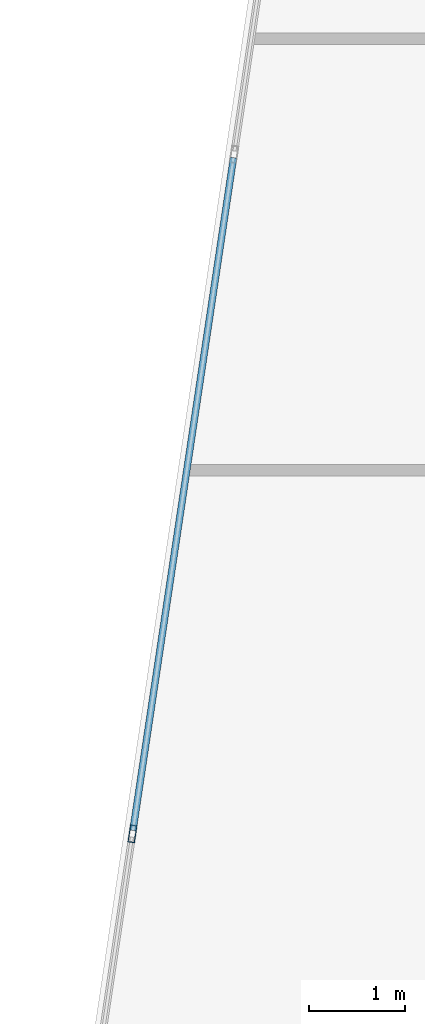
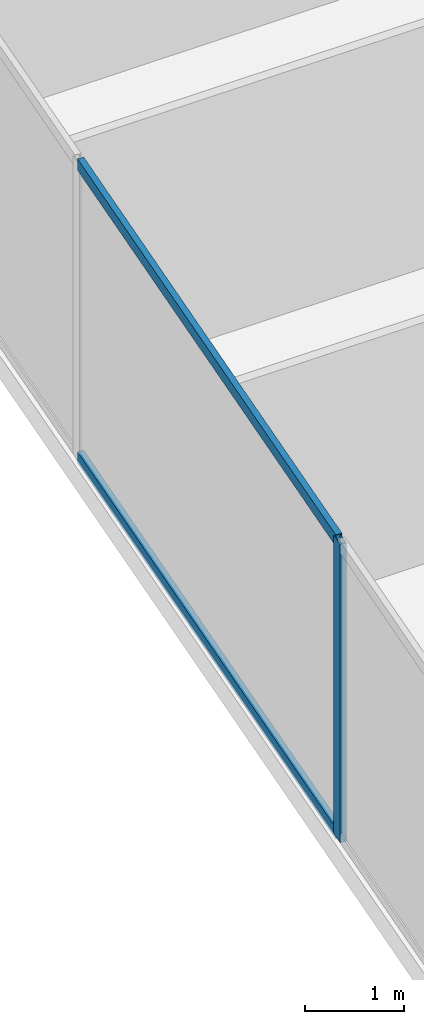
# One storey, part 6 of 29: 3 members, 1 element without a shape of its own.
"""IFC4 building model written with IfcOpenShell, lengths in metres."""

from ifc_helpers import new_model, si_unit, direction, frame, origin, origin_2d, place, context, subcontext, project, spatial, hollow_rectangle, extrude, source, transform, mapped, material, material_profile, profile_set, type_object, type_shapes, element, aggregate, save


model = new_model("IFC4")

# Units and contexts
model_context = context("Model", 3, precision=1e-05, world=origin(), true_north=direction((0.0, 1.0)))
body_context = subcontext(model_context, "Body", "Model", "MODEL_VIEW")
ifc_project = project(units=[si_unit("LENGTHUNIT", "METRE"), si_unit("AREAUNIT", "SQUARE_METRE"), si_unit("VOLUMEUNIT", "CUBIC_METRE"), si_unit("PLANEANGLEUNIT", "RADIAN"), si_unit("MASSUNIT", "GRAM", prefix="KILO")], contexts=[model_context])

# Site, building, storey
site_placement = place(None, origin())
site = spatial("IfcSite", under=ifc_project, at=site_placement, CompositionType="ELEMENT")
building_placement = place(site_placement, origin())
building = spatial("IfcBuilding", under=site, at=building_placement, Name="Krantzveldt Concourse Tower", CompositionType="ELEMENT")
storey_placement = place(building_placement, frame((0.0, 0.0, 68.449951171875)))
storey = spatial("IfcBuildingStorey", under=building, at=storey_placement, Name="L16", CompositionType="ELEMENT", Elevation=68.449951171875)

# Curtain wall, members
ifc_material = material(Name="Anodised aluminium 6063-T6", Category="aluminium")
curtain_wall_type = type_object("IfcCurtainWallType", Name="CW2", PredefinedType="USERDEFINED", material=ifc_material)
curtain_wall_placement = place(storey_placement, origin())
curtain_wall = element("IfcCurtainWall", 1, at=curtain_wall_placement, inside=storey, type_object=curtain_wall_type, Name="CW-L16-F01", ObjectType="UNITISED CURTAIN WALL", PredefinedType="USERDEFINED")
ifc_material_profile_1 = material_profile(ifc_material, hollow_rectangle(XDim=0.070068359375, YDim=0.179931640625, WallThickness=0.0048828125, at=origin_2d()), Name="Anodised aluminium 6063-T6", Category="aluminium")
ifc_profile_set_1 = profile_set([ifc_material_profile_1], Name="Anodised aluminium 6063-T6 - ALU-MULL 180x70x5")
member_type_1 = type_object("IfcMemberType", Name="CW-MUL-180", PredefinedType="MULLION", material=ifc_profile_set_1)
shared_shape_1 = source(origin(), body_context, "Body", "SweptSolid", [
    extrude(hollow_rectangle(XDim=0.070068359375, YDim=0.179931640625, WallThickness=0.0048828125, at=origin_2d()), origin(), (0.0, 0.0, 1.0), 3.670166015625),
])
type_shapes(member_type_1, [shared_shape_1])
member_1_placement = place(storey_placement, frame((9.2451171875, 16.2060546875, 0.0), z_axis=(0.0, 0.0, 1.0), x_axis=(0.989015849271, -0.147809505412, 0.0)))
member_1 = element("IfcMember", 2, at=member_1_placement, type_object=member_type_1, Name="CW-Z12 mullion 6", PredefinedType="MULLION", context=body_context, shape_type="MappedRepresentation", body=[
    mapped(shared_shape_1, transform((0.0, 0.0, 0.0), x_axis=(1.0, 0.0, 0.0), y_axis=(0.0, 1.0, 0.0), z_axis=(0.0, 0.0, 1.0), scale=1.0)),
])
ifc_material_profile_2 = material_profile(ifc_material, hollow_rectangle(XDim=0.070068359375, YDim=0.139892578125, WallThickness=0.0048828125, at=origin_2d()), Name="Anodised aluminium 6063-T6", Category="aluminium")
ifc_profile_set_2 = profile_set([ifc_material_profile_2], Name="Anodised aluminium 6063-T6 - ALU-TRAN 140x70x5")
member_type_2 = type_object("IfcMemberType", Name="CW-TRN-150", PredefinedType="USERDEFINED", material=ifc_profile_set_2)
shared_shape_2 = source(origin(), body_context, "Body", "SweptSolid", [
    extrude(hollow_rectangle(XDim=0.070068359375, YDim=0.139892578125, WallThickness=0.0048828125, at=origin_2d()), origin(), (0.0, 0.0, 1.0), 7.096435546875),
])
type_shapes(member_type_2, [shared_shape_2])
member_2_placement = place(storey_placement, frame((10.299072265625, 23.25927734375, 0.03515625), z_axis=(-0.147795365468, -0.989017962398, 0.0), x_axis=(0.989017962398, -0.147795365468, 0.0)))
member_2 = element("IfcMember", 3, at=member_2_placement, type_object=member_type_2, Name="CW-Z12 transom 5.1", ObjectType="TRANSOM", PredefinedType="USERDEFINED", context=body_context, shape_type="MappedRepresentation", body=[
    mapped(shared_shape_2, transform((0.0, 0.0, 0.0), x_axis=(1.0, 0.0, 0.0), y_axis=(0.0, 1.0, 0.0), z_axis=(0.0, 0.0, 1.0), scale=1.0)),
])
member_3_placement = place(storey_placement, frame((10.299072265625, 23.25927734375, 3.635009765625), z_axis=(-0.147795365468, -0.989017962398, 0.0), x_axis=(0.989017962398, -0.147795365468, 0.0)))
member_3 = element("IfcMember", 4, at=member_3_placement, type_object=member_type_2, Name="CW-Z12 transom 5.2", ObjectType="TRANSOM", PredefinedType="USERDEFINED", context=body_context, shape_type="MappedRepresentation", body=[
    mapped(shared_shape_2, transform((0.0, 0.0, 0.0), x_axis=(1.0, 0.0, 0.0), y_axis=(0.0, 1.0, 0.0), z_axis=(0.0, 0.0, 1.0), scale=1.0)),
])
aggregate(curtain_wall, [member_1, member_2, member_3])

save(model, "model.ifc")
